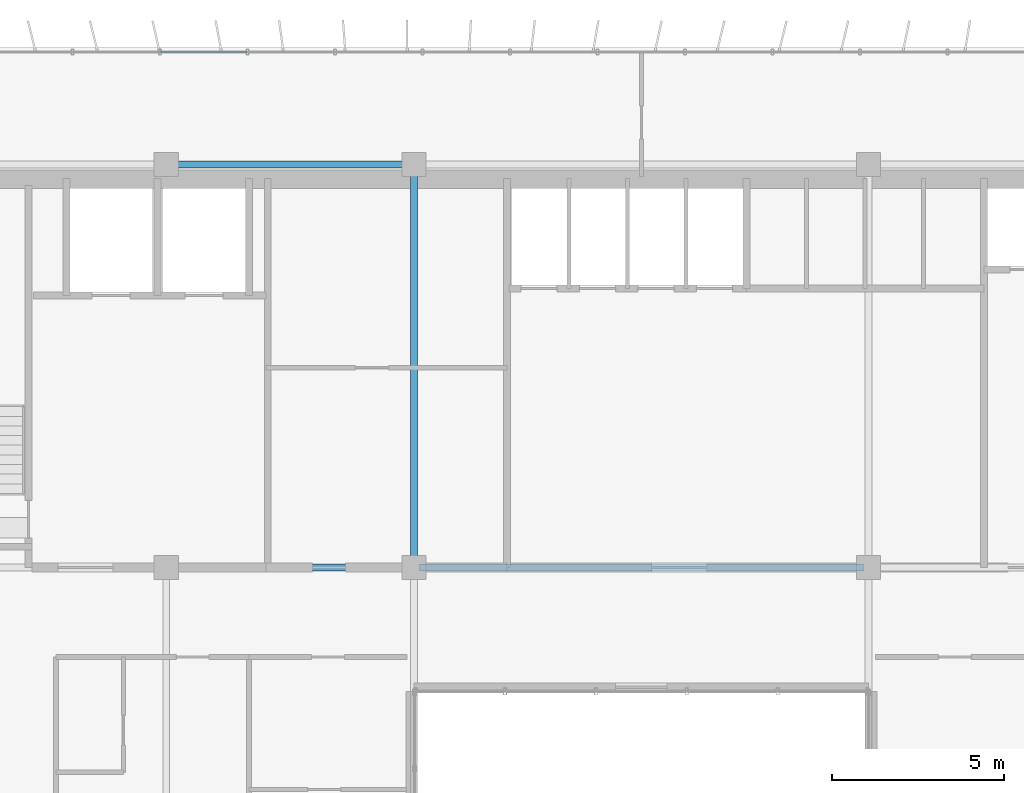
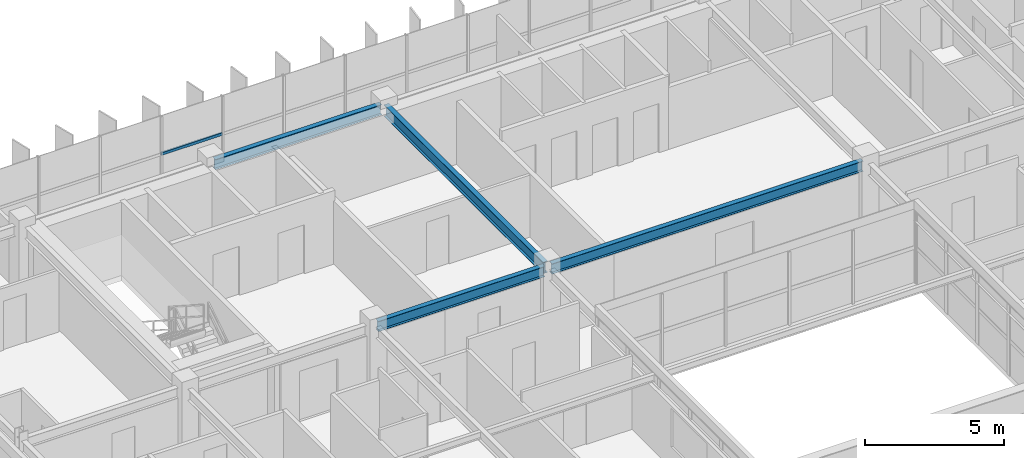
# One storey, part 20 of 37: 4 beams, 1 member, 1 element without a shape of its own.
"""IFC4 building model written with IfcOpenShell, lengths in metres."""

import ifcopenshell
import ifcopenshell.guid

model = None  # the IFC model being written
_history = None  # IfcOwnerHistory: only IFC2X3 demands one
_inside = {}  # id of a spatial element -> (the spatial element, [elements in it])
_under = {}  # id of a project, library or spatial element -> (it, [spatial elements below it])
_declared = {}  # id of a project -> (the project, [libraries it declares])
_typed = {}  # id of a type object -> (the type object, [elements of that type])
_made_of = {}  # id of a material, layer set ... -> (it, [elements and type objects made of it])


def new_model(schema):
    """Start an empty IFC model of exactly this schema.

    Asked for "IFC4X3", IfcOpenShell would pick the latest addendum, in which some entities
    have other attributes; the version numbers below select the first issue.
    IFC2X3 requires an IfcOwnerHistory on every rooted entity: one is made here for all.
    """
    global model, _history
    if schema == "IFC4X3":
        model = ifcopenshell.file(schema_version=(4, 3, 0, 0))
    else:
        model = ifcopenshell.file(schema=schema)
    _inside.clear()
    _under.clear()
    _declared.clear()
    _typed.clear()
    _made_of.clear()
    _history = None
    if model.schema == "IFC2X3":
        org = make("IfcOrganization", Name="unknown")
        user = make(
            "IfcPersonAndOrganization",
            ThePerson=make("IfcPerson", FamilyName="unknown"),
            TheOrganization=org,
        )
        app = make(
            "IfcApplication",
            ApplicationDeveloper=org,
            Version="unknown",
            ApplicationFullName="unknown",
            ApplicationIdentifier="unknown",
        )
        _history = make(
            "IfcOwnerHistory",
            OwningUser=user,
            OwningApplication=app,
            ChangeAction="ADDED",
            CreationDate=0,
        )
    return model


def make(cls, **values):
    """One entity of the class cls with the attributes given. An attribute that is None is left unset."""
    return model.create_entity(
        cls, **{name: value for name, value in values.items() if value is not None}
    )


def rooted(cls, **values):
    """An entity with a GlobalId (a new one), such as an element, a storey or a relation."""
    return make(cls, GlobalId=ifcopenshell.guid.new(), OwnerHistory=_history, **values)


def si_unit(unit_type, name, prefix=None):
    """IfcSIUnit, for example si_unit("LENGTHUNIT", "METRE", prefix="MILLI")."""
    return make("IfcSIUnit", UnitType=unit_type, Prefix=prefix, Name=name)


def assignment(units):
    """IfcUnitAssignment: the units of a project."""
    return None if units is None else make("IfcUnitAssignment", Units=units)


def point(xyz):
    """IfcCartesianPoint."""
    return None if xyz is None else make("IfcCartesianPoint", Coordinates=xyz)


def direction(xyz):
    """IfcDirection."""
    return None if xyz is None else make("IfcDirection", DirectionRatios=xyz)


def frame(location, z_axis=None, x_axis=None):
    """IfcAxis2Placement3D, a coordinate frame: its origin and axes. An axis left out is left unset."""
    return make(
        "IfcAxis2Placement3D",
        Location=point(location),
        Axis=direction(z_axis),
        RefDirection=direction(x_axis),
    )


def frame_2d(location, x_axis=None):
    """IfcAxis2Placement2D, a coordinate frame in the plane: its origin and x axis."""
    return make(
        "IfcAxis2Placement2D", Location=point(location), RefDirection=direction(x_axis)
    )


def origin():
    """The frame at (0, 0, 0) with its axes left unset."""
    return frame((0.0, 0.0, 0.0))


def origin_2d():
    """The frame at (0, 0) in the plane with its x axis left unset."""
    return frame_2d((0.0, 0.0))


def place(relative_to, where):
    """IfcLocalPlacement: puts the frame where relative to a parent placement (None: the world)."""
    return make(
        "IfcLocalPlacement", PlacementRelTo=relative_to, RelativePlacement=where
    )


def context(
    kind, dimensions, precision=None, world=None, true_north=None, identifier=None
):
    """IfcGeometricRepresentationContext, for example the 3D "Model" context."""
    return make(
        "IfcGeometricRepresentationContext",
        ContextIdentifier=identifier,
        ContextType=kind,
        CoordinateSpaceDimension=dimensions,
        Precision=precision,
        WorldCoordinateSystem=world,
        TrueNorth=true_north,
    )


def subcontext(parent, identifier, kind, view, scale=None):
    """IfcGeometricRepresentationSubContext, for example "Body" below "Model"."""
    return make(
        "IfcGeometricRepresentationSubContext",
        ContextIdentifier=identifier,
        ContextType=kind,
        ParentContext=parent,
        TargetScale=scale,
        TargetView=view,
    )


def project(units=None, contexts=None):
    """IfcProject with its units and contexts."""
    return rooted(
        "IfcProject",
        Name="project",
        RepresentationContexts=contexts,
        UnitsInContext=assignment(units),
    )


def spatial(cls, under=None, at=None, **own):
    """A site, building, storey or space (cls), placed at a placement, below another one or the project."""
    s = rooted(cls, ObjectPlacement=at, **own)
    if under is not None:
        _under.setdefault(under.id(), (under, []))[1].append(s)
    return s


def profile(cls, at=None, kind="AREA", **sizes):
    """A parametric profile (cls). Its sizes go by their IFC names, for example OverallWidth=200.0."""
    return make(cls, ProfileType=kind, Position=at, **sizes)


def hollow_rectangle(**sizes):
    """IfcRectangleHollowProfileDef."""
    return profile("IfcRectangleHollowProfileDef", **sizes)


def i_section(**sizes):
    """IfcIShapeProfileDef."""
    return profile("IfcIShapeProfileDef", **sizes)


def extrude(swept, where, along, depth):
    """IfcExtrudedAreaSolid: the profile swept, set in the frame where, extruded along a direction by depth."""
    return make(
        "IfcExtrudedAreaSolid",
        SweptArea=swept,
        Position=where,
        ExtrudedDirection=direction(along),
        Depth=depth,
    )


def shape(context_of_items, identifier, shape_type, items):
    """IfcShapeRepresentation: the items that make up one representation, for example the "Body"."""
    return make(
        "IfcShapeRepresentation",
        ContextOfItems=context_of_items,
        RepresentationIdentifier=identifier,
        RepresentationType=shape_type,
        Items=items,
    )


def source(mapping_origin, context_of_items, identifier, shape_type, items):
    """IfcRepresentationMap: a shape defined once, which mapped items show again and again."""
    return make(
        "IfcRepresentationMap",
        MappingOrigin=mapping_origin,
        MappedRepresentation=shape(context_of_items, identifier, shape_type, items),
    )


def transform(
    local_origin,
    x_axis=None,
    y_axis=None,
    z_axis=None,
    scale=None,
    scale2=None,
    scale3=None,
    uniform=True,
):
    """IfcCartesianTransformationOperator3D, or its non-uniform kind. x_axis, y_axis, z_axis: its Axis1, 2, 3."""
    if uniform:
        return make(
            "IfcCartesianTransformationOperator3D",
            Axis1=direction(x_axis),
            Axis2=direction(y_axis),
            LocalOrigin=point(local_origin),
            Scale=scale,
            Axis3=direction(z_axis),
        )
    return make(
        "IfcCartesianTransformationOperator3DnonUniform",
        Axis1=direction(x_axis),
        Axis2=direction(y_axis),
        LocalOrigin=point(local_origin),
        Scale=scale,
        Axis3=direction(z_axis),
        Scale2=scale2,
        Scale3=scale3,
    )


def mapped(mapping_source, mapping_target):
    """IfcMappedItem: shows the shape of a source again, moved by a transform."""
    return make(
        "IfcMappedItem", MappingSource=mapping_source, MappingTarget=mapping_target
    )


def material(Name=None, Category=None):
    """IfcMaterial."""
    return make("IfcMaterial", Name=Name, Category=Category)


def material_profile(
    of_material, cross_section, Name=None, Category=None, Priority=None
):
    """IfcMaterialProfile: a cross section and its material."""
    return make(
        "IfcMaterialProfile",
        Name=Name,
        Material=of_material,
        Profile=cross_section,
        Priority=Priority,
        Category=Category,
    )


def profile_set(profiles, Name=None, composite=None):
    """IfcMaterialProfileSet."""
    return make(
        "IfcMaterialProfileSet",
        Name=Name,
        MaterialProfiles=profiles,
        CompositeProfile=composite,
    )


def made_of(thing, what):
    """Note that an element or type object is made of a material, layer set ...; save() writes the relation."""
    if what is not None:
        _made_of.setdefault(what.id(), (what, []))[1].append(thing)
    return thing


def type_object(cls, material=None, **own):
    """A type object (cls), such as IfcWallType, which elements share."""
    return made_of(rooted(cls, **own), material)


def element(
    cls,
    number,
    at=None,
    inside=None,
    cuts=None,
    type_object=None,
    material=None,
    context=None,
    identifier="Body",
    shape_type=None,
    held_by="IfcProductDefinitionShape",
    body=None,
    shapes=None,
    **own,
):
    """One element of the class cls, such as IfcWall. Its Tag is "e" and its number.

    at: its placement. inside: the storey or other place that contains it. cuts: it is an
    opening in that element (IfcRelVoidsElement). A single representation is given by context,
    identifier, shape_type and body (its items); several are given by shapes. held_by: the class
    of the entity that holds the representations. save() writes the other relations.
    """
    e = rooted(cls, Tag="e%d" % number, ObjectPlacement=at, **own)
    if body is not None:
        shapes = [shape(context, identifier, shape_type, body)]
    if shapes is not None:
        e.Representation = make(held_by, Representations=shapes)
    if inside is not None:
        _inside.setdefault(inside.id(), (inside, []))[1].append(e)
    if cuts is not None:
        rooted(
            "IfcRelVoidsElement", RelatingBuildingElement=cuts, RelatedOpeningElement=e
        )
    if type_object is not None:
        _typed.setdefault(type_object.id(), (type_object, []))[1].append(e)
    return made_of(e, material)


def aggregate(whole, parts):
    """IfcRelAggregates: a whole, such as a stair, and the parts it consists of."""
    return rooted("IfcRelAggregates", RelatingObject=whole, RelatedObjects=parts)


def save(model, path):
    """Write the relations noted so far, then the file.

    IfcRelAggregates (storeys below a building ...), IfcRelContainedInSpatialStructure (elements
    in a storey), IfcRelDefinesByType, IfcRelAssociatesMaterial and IfcRelDeclares: one each for
    every whole, place, type object, material and project.
    """
    for whole, parts in _under.values():
        aggregate(whole, parts)
    for where, things in _inside.values():
        rooted(
            "IfcRelContainedInSpatialStructure",
            RelatedElements=things,
            RelatingStructure=where,
        )
    for kind, things in _typed.values():
        rooted("IfcRelDefinesByType", RelatedObjects=things, RelatingType=kind)
    for what, things in _made_of.values():
        rooted("IfcRelAssociatesMaterial", RelatedObjects=things, RelatingMaterial=what)
    for by, libraries in _declared.values():
        rooted("IfcRelDeclares", RelatingContext=by, RelatedDefinitions=libraries)
    model.write(path)


model = new_model("IFC4")

# Units and contexts
model_context = context("Model", 3, precision=1e-05, world=origin(), true_north=direction((0.0, 1.0)))
body_context = subcontext(model_context, "Body", "Model", "MODEL_VIEW")
ifc_project = project(units=[si_unit("LENGTHUNIT", "METRE"), si_unit("AREAUNIT", "SQUARE_METRE"), si_unit("VOLUMEUNIT", "CUBIC_METRE"), si_unit("PLANEANGLEUNIT", "RADIAN"), si_unit("MASSUNIT", "GRAM", prefix="KILO")], contexts=[model_context])

# Site, building, storey
site_placement = place(None, origin())
site = spatial("IfcSite", under=ifc_project, at=site_placement, CompositionType="ELEMENT")
building_placement = place(site_placement, origin())
building = spatial("IfcBuilding", under=site, at=building_placement, Name="Trelvane Seafront Commons", CompositionType="ELEMENT")
storey_placement = place(building_placement, frame((0.0, 0.0, 201.300048828125)))
storey = spatial("IfcBuildingStorey", under=building, at=storey_placement, Name="L52", CompositionType="ELEMENT", Elevation=201.300048828125)

# Beams
ifc_material_1 = material(Name="Steel SM355 (S355)", Category="steel")
ifc_material_profile_1 = material_profile(ifc_material_1, i_section(OverallWidth=0.199951171875, OverallDepth=0.5, WebThickness=0.010009765625, FlangeThickness=0.01611328125, at=origin_2d()), Name="H-500x200x10x16")
ifc_profile_set_1 = profile_set([ifc_material_profile_1], Name="Steel SM355 (S355)")
beam_type_1 = type_object("IfcBeamType", Name="STR-BM-H500", PredefinedType="BEAM", material=ifc_profile_set_1)
shared_shape_1 = source(origin(), body_context, "Body", "SweptSolid", [
    extrude(i_section(OverallWidth=0.199951171875, OverallDepth=0.5, WebThickness=0.010009765625, FlangeThickness=0.01611328125, at=origin_2d()), origin(), (0.0, 0.0, 1.0), 11.39990234375),
])
beam_1_placement = place(storey_placement, frame((30.60009765625, 33.550048828125, 2.969970703125), z_axis=(0.0, 1.0, 0.0), x_axis=(-1.0, 0.0, 0.0)))
element("IfcBeam", 1, at=beam_1_placement, inside=storey, type_object=beam_type_1, Name="L52 Primary Girder G-40", PredefinedType="BEAM", context=body_context, shape_type="MappedRepresentation", body=[
    mapped(shared_shape_1, transform((0.0, 0.0, 0.0), x_axis=(1.0, 0.0, 0.0), y_axis=(0.0, 1.0, 0.0), z_axis=(0.0, 0.0, 1.0), scale=1.0)),
])
ifc_material_profile_2 = material_profile(ifc_material_1, i_section(OverallWidth=0.199951171875, OverallDepth=0.449951171875, WebThickness=0.009033203125, FlangeThickness=0.013916015625, at=origin_2d()), Name="H-450x200x9x14")
ifc_profile_set_2 = profile_set([ifc_material_profile_2], Name="Steel SM355 (S355)")
beam_type_2 = type_object("IfcBeamType", Name="STR-SPD-H450", PredefinedType="SPANDREL", material=ifc_profile_set_2)
shared_shape_2 = source(origin(), body_context, "Body", "SweptSolid", [
    extrude(i_section(OverallWidth=0.199951171875, OverallDepth=0.449951171875, WebThickness=0.009033203125, FlangeThickness=0.013916015625, at=origin_2d()), origin(), (0.0, 0.0, 1.0), 6.89990234375),
])
for number, where, z_axis, x_axis, name in (
    (2, (23.550048828125, 33.39990234375, 2.994873046875), (1.0, 0.0, 0.0), (0.0, 1.0, 0.0), "L52 Primary Girder G-17"),
    (3, (23.550048828125, 45.10009765625, 2.994873046875), (1.0, 0.0, 0.0), (0.0, 1.0, 0.0), "L52 Primary Girder G-24"),
):
    element("IfcBeam", number, at=place(storey_placement, frame(where, z_axis=z_axis, x_axis=x_axis)), inside=storey, type_object=beam_type_2, Name=name, PredefinedType="SPANDREL", context=body_context, shape_type="MappedRepresentation", body=[
        mapped(shared_shape_2, transform((0.0, 0.0, 0.0), x_axis=(1.0, 0.0, 0.0), y_axis=(0.0, 1.0, 0.0), z_axis=(0.0, 0.0, 1.0), scale=1.0)),
    ])
shared_shape_3 = source(origin(), body_context, "Body", "SweptSolid", [
    extrude(i_section(OverallWidth=0.199951171875, OverallDepth=0.449951171875, WebThickness=0.009033203125, FlangeThickness=0.013916015625, at=origin_2d()), origin(), (0.0, 0.0, 1.0), 12.89990234375),
])
beam_2_placement = place(storey_placement, frame((30.75, 33.39990234375, 2.994873046875), z_axis=(1.0, 0.0, 0.0), x_axis=(0.0, 1.0, 0.0)))
element("IfcBeam", 4, at=beam_2_placement, inside=storey, type_object=beam_type_2, Name="L52 Primary Girder G-18", PredefinedType="SPANDREL", context=body_context, shape_type="MappedRepresentation", body=[
    mapped(shared_shape_3, transform((0.0, 0.0, 0.0), x_axis=(1.0, 0.0, 0.0), y_axis=(0.0, 1.0, 0.0), z_axis=(0.0, 0.0, 1.0), scale=1.0)),
])

# Curtain wall, member
ifc_material_2 = material(Name="Anodised pale-silver aluminium", Category="aluminium")
curtain_wall_type = type_object("IfcCurtainWallType", Name="ARCH-CW5-UPTOWER", PredefinedType="NOTDEFINED", material=ifc_material_2)
curtain_wall_placement = place(storey_placement, origin())
curtain_wall = element("IfcCurtainWall", 5, at=curtain_wall_placement, inside=storey, type_object=curtain_wall_type, Name="CW-L52-0090", PredefinedType="NOTDEFINED")
ifc_material_profile_3 = material_profile(ifc_material_2, hollow_rectangle(XDim=0.070068359375, YDim=0.1201171875, WallThickness=0.00390625, at=origin_2d()), Name="TRAN-70x120x4")
ifc_profile_set_3 = profile_set([ifc_material_profile_3], Name="Anodised pale-silver aluminium")
member_type = type_object("IfcMemberType", Name="ARCH-CW-TRAN-120", PredefinedType="USERDEFINED", material=ifc_profile_set_3)
shared_shape_4 = source(origin(), body_context, "Body", "SweptSolid", [
    extrude(hollow_rectangle(XDim=0.070068359375, YDim=0.1201171875, WallThickness=0.00390625, at=origin_2d()), origin(), (0.0, 0.0, 1.0), 2.51708984375),
])
member_placement = place(storey_placement, frame((23.235595703125, 48.3701171875, 1.5458984375), z_axis=(1.0, 0.0, 0.0), x_axis=(0.0, 1.0, 0.0)))
member = element("IfcMember", 6, at=member_placement, type_object=member_type, Name="CW-L52-0090-T03", ObjectType="TRANSOM", PredefinedType="USERDEFINED", context=body_context, shape_type="MappedRepresentation", body=[
    mapped(shared_shape_4, transform((0.0, 0.0, 0.0), x_axis=(1.0, 0.0, 0.0), y_axis=(0.0, 1.0, 0.0), z_axis=(0.0, 0.0, 1.0), scale=1.0)),
])
aggregate(curtain_wall, [member])

save(model, "model.ifc")
